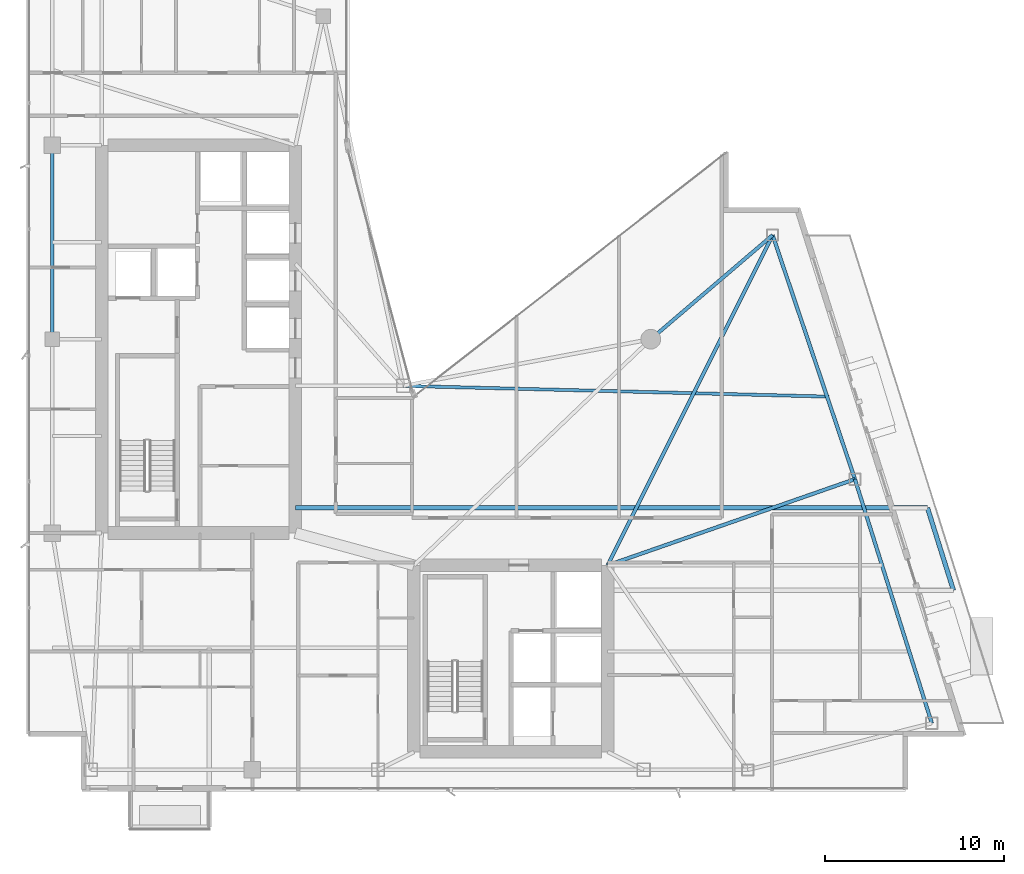
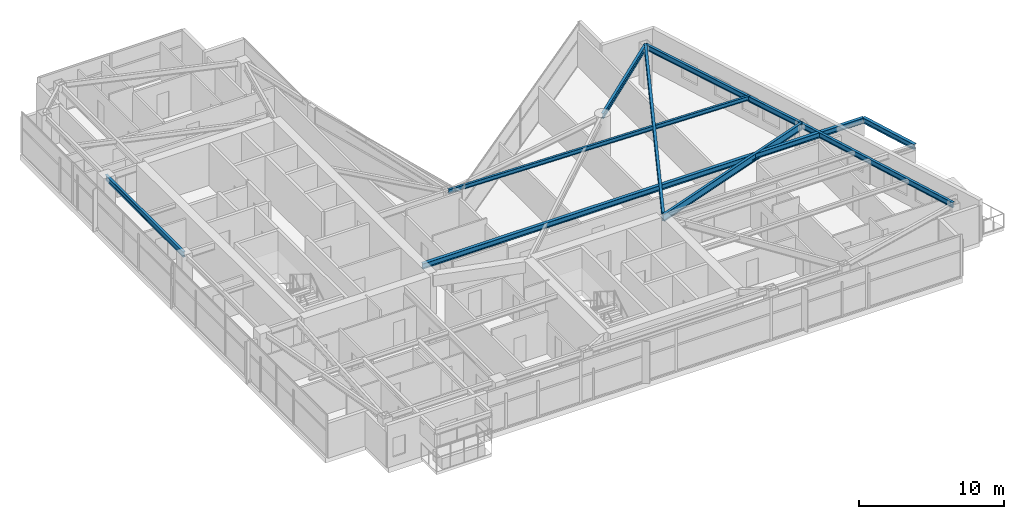
# One storey, part 15 of 29: 9 beams.
"""IFC4 building model written with IfcOpenShell, lengths in metres."""

import ifcopenshell
import ifcopenshell.guid

model = None  # the IFC model being written
_history = None  # IfcOwnerHistory: only IFC2X3 demands one
_inside = {}  # id of a spatial element -> (the spatial element, [elements in it])
_under = {}  # id of a project, library or spatial element -> (it, [spatial elements below it])
_declared = {}  # id of a project -> (the project, [libraries it declares])
_typed = {}  # id of a type object -> (the type object, [elements of that type])
_made_of = {}  # id of a material, layer set ... -> (it, [elements and type objects made of it])


def new_model(schema):
    """Start an empty IFC model of exactly this schema.

    Asked for "IFC4X3", IfcOpenShell would pick the latest addendum, in which some entities
    have other attributes; the version numbers below select the first issue.
    IFC2X3 requires an IfcOwnerHistory on every rooted entity: one is made here for all.
    """
    global model, _history
    if schema == "IFC4X3":
        model = ifcopenshell.file(schema_version=(4, 3, 0, 0))
    else:
        model = ifcopenshell.file(schema=schema)
    _inside.clear()
    _under.clear()
    _declared.clear()
    _typed.clear()
    _made_of.clear()
    _history = None
    if model.schema == "IFC2X3":
        org = make("IfcOrganization", Name="unknown")
        user = make(
            "IfcPersonAndOrganization",
            ThePerson=make("IfcPerson", FamilyName="unknown"),
            TheOrganization=org,
        )
        app = make(
            "IfcApplication",
            ApplicationDeveloper=org,
            Version="unknown",
            ApplicationFullName="unknown",
            ApplicationIdentifier="unknown",
        )
        _history = make(
            "IfcOwnerHistory",
            OwningUser=user,
            OwningApplication=app,
            ChangeAction="ADDED",
            CreationDate=0,
        )
    return model


def make(cls, **values):
    """One entity of the class cls with the attributes given. An attribute that is None is left unset."""
    return model.create_entity(
        cls, **{name: value for name, value in values.items() if value is not None}
    )


def rooted(cls, **values):
    """An entity with a GlobalId (a new one), such as an element, a storey or a relation."""
    return make(cls, GlobalId=ifcopenshell.guid.new(), OwnerHistory=_history, **values)


def si_unit(unit_type, name, prefix=None):
    """IfcSIUnit, for example si_unit("LENGTHUNIT", "METRE", prefix="MILLI")."""
    return make("IfcSIUnit", UnitType=unit_type, Prefix=prefix, Name=name)


def assignment(units):
    """IfcUnitAssignment: the units of a project."""
    return None if units is None else make("IfcUnitAssignment", Units=units)


def point(xyz):
    """IfcCartesianPoint."""
    return None if xyz is None else make("IfcCartesianPoint", Coordinates=xyz)


def direction(xyz):
    """IfcDirection."""
    return None if xyz is None else make("IfcDirection", DirectionRatios=xyz)


def frame(location, z_axis=None, x_axis=None):
    """IfcAxis2Placement3D, a coordinate frame: its origin and axes. An axis left out is left unset."""
    return make(
        "IfcAxis2Placement3D",
        Location=point(location),
        Axis=direction(z_axis),
        RefDirection=direction(x_axis),
    )


def frame_2d(location, x_axis=None):
    """IfcAxis2Placement2D, a coordinate frame in the plane: its origin and x axis."""
    return make(
        "IfcAxis2Placement2D", Location=point(location), RefDirection=direction(x_axis)
    )


def origin():
    """The frame at (0, 0, 0) with its axes left unset."""
    return frame((0.0, 0.0, 0.0))


def origin_2d():
    """The frame at (0, 0) in the plane with its x axis left unset."""
    return frame_2d((0.0, 0.0))


def place(relative_to, where):
    """IfcLocalPlacement: puts the frame where relative to a parent placement (None: the world)."""
    return make(
        "IfcLocalPlacement", PlacementRelTo=relative_to, RelativePlacement=where
    )


def context(
    kind, dimensions, precision=None, world=None, true_north=None, identifier=None
):
    """IfcGeometricRepresentationContext, for example the 3D "Model" context."""
    return make(
        "IfcGeometricRepresentationContext",
        ContextIdentifier=identifier,
        ContextType=kind,
        CoordinateSpaceDimension=dimensions,
        Precision=precision,
        WorldCoordinateSystem=world,
        TrueNorth=true_north,
    )


def subcontext(parent, identifier, kind, view, scale=None):
    """IfcGeometricRepresentationSubContext, for example "Body" below "Model"."""
    return make(
        "IfcGeometricRepresentationSubContext",
        ContextIdentifier=identifier,
        ContextType=kind,
        ParentContext=parent,
        TargetScale=scale,
        TargetView=view,
    )


def project(units=None, contexts=None):
    """IfcProject with its units and contexts."""
    return rooted(
        "IfcProject",
        Name="project",
        RepresentationContexts=contexts,
        UnitsInContext=assignment(units),
    )


def spatial(cls, under=None, at=None, **own):
    """A site, building, storey or space (cls), placed at a placement, below another one or the project."""
    s = rooted(cls, ObjectPlacement=at, **own)
    if under is not None:
        _under.setdefault(under.id(), (under, []))[1].append(s)
    return s


def profile(cls, at=None, kind="AREA", **sizes):
    """A parametric profile (cls). Its sizes go by their IFC names, for example OverallWidth=200.0."""
    return make(cls, ProfileType=kind, Position=at, **sizes)


def i_section(**sizes):
    """IfcIShapeProfileDef."""
    return profile("IfcIShapeProfileDef", **sizes)


def extrude(swept, where, along, depth):
    """IfcExtrudedAreaSolid: the profile swept, set in the frame where, extruded along a direction by depth."""
    return make(
        "IfcExtrudedAreaSolid",
        SweptArea=swept,
        Position=where,
        ExtrudedDirection=direction(along),
        Depth=depth,
    )


def shape(context_of_items, identifier, shape_type, items):
    """IfcShapeRepresentation: the items that make up one representation, for example the "Body"."""
    return make(
        "IfcShapeRepresentation",
        ContextOfItems=context_of_items,
        RepresentationIdentifier=identifier,
        RepresentationType=shape_type,
        Items=items,
    )


def material(Name=None, Category=None):
    """IfcMaterial."""
    return make("IfcMaterial", Name=Name, Category=Category)


def material_profile(
    of_material, cross_section, Name=None, Category=None, Priority=None
):
    """IfcMaterialProfile: a cross section and its material."""
    return make(
        "IfcMaterialProfile",
        Name=Name,
        Material=of_material,
        Profile=cross_section,
        Priority=Priority,
        Category=Category,
    )


def profile_set(profiles, Name=None, composite=None):
    """IfcMaterialProfileSet."""
    return make(
        "IfcMaterialProfileSet",
        Name=Name,
        MaterialProfiles=profiles,
        CompositeProfile=composite,
    )


def made_of(thing, what):
    """Note that an element or type object is made of a material, layer set ...; save() writes the relation."""
    if what is not None:
        _made_of.setdefault(what.id(), (what, []))[1].append(thing)
    return thing


def type_object(cls, material=None, **own):
    """A type object (cls), such as IfcWallType, which elements share."""
    return made_of(rooted(cls, **own), material)


def element(
    cls,
    number,
    at=None,
    inside=None,
    cuts=None,
    type_object=None,
    material=None,
    context=None,
    identifier="Body",
    shape_type=None,
    held_by="IfcProductDefinitionShape",
    body=None,
    shapes=None,
    **own,
):
    """One element of the class cls, such as IfcWall. Its Tag is "e" and its number.

    at: its placement. inside: the storey or other place that contains it. cuts: it is an
    opening in that element (IfcRelVoidsElement). A single representation is given by context,
    identifier, shape_type and body (its items); several are given by shapes. held_by: the class
    of the entity that holds the representations. save() writes the other relations.
    """
    e = rooted(cls, Tag="e%d" % number, ObjectPlacement=at, **own)
    if body is not None:
        shapes = [shape(context, identifier, shape_type, body)]
    if shapes is not None:
        e.Representation = make(held_by, Representations=shapes)
    if inside is not None:
        _inside.setdefault(inside.id(), (inside, []))[1].append(e)
    if cuts is not None:
        rooted(
            "IfcRelVoidsElement", RelatingBuildingElement=cuts, RelatedOpeningElement=e
        )
    if type_object is not None:
        _typed.setdefault(type_object.id(), (type_object, []))[1].append(e)
    return made_of(e, material)


def aggregate(whole, parts):
    """IfcRelAggregates: a whole, such as a stair, and the parts it consists of."""
    return rooted("IfcRelAggregates", RelatingObject=whole, RelatedObjects=parts)


def save(model, path):
    """Write the relations noted so far, then the file.

    IfcRelAggregates (storeys below a building ...), IfcRelContainedInSpatialStructure (elements
    in a storey), IfcRelDefinesByType, IfcRelAssociatesMaterial and IfcRelDeclares: one each for
    every whole, place, type object, material and project.
    """
    for whole, parts in _under.values():
        aggregate(whole, parts)
    for where, things in _inside.values():
        rooted(
            "IfcRelContainedInSpatialStructure",
            RelatedElements=things,
            RelatingStructure=where,
        )
    for kind, things in _typed.values():
        rooted("IfcRelDefinesByType", RelatedObjects=things, RelatingType=kind)
    for what, things in _made_of.values():
        rooted("IfcRelAssociatesMaterial", RelatedObjects=things, RelatingMaterial=what)
    for by, libraries in _declared.values():
        rooted("IfcRelDeclares", RelatingContext=by, RelatedDefinitions=libraries)
    model.write(path)


model = new_model("IFC4")

# Units and contexts
model_context = context("Model", 3, precision=1e-05, world=origin(), true_north=direction((0.0, 1.0)))
body_context = subcontext(model_context, "Body", "Model", "MODEL_VIEW")
ifc_project = project(units=[si_unit("LENGTHUNIT", "METRE"), si_unit("AREAUNIT", "SQUARE_METRE"), si_unit("VOLUMEUNIT", "CUBIC_METRE"), si_unit("PLANEANGLEUNIT", "RADIAN"), si_unit("MASSUNIT", "GRAM", prefix="KILO")], contexts=[model_context])

# Site, building, storey
site_placement = place(None, origin())
site = spatial("IfcSite", under=ifc_project, at=site_placement, CompositionType="ELEMENT")
building_placement = place(site_placement, origin())
building = spatial("IfcBuilding", under=site, at=building_placement, Name="Calvorn Quay Hotel", CompositionType="ELEMENT")
storey_placement = place(building_placement, frame((0.0, 0.0, 199.60009765625)))
storey = spatial("IfcBuildingStorey", under=building, at=storey_placement, Name="L49", CompositionType="ELEMENT", Elevation=199.60009765625)

# Beams
ifc_material_1 = material(Name="Steel Q355B", Category="steel")
ifc_material_profile_1 = material_profile(ifc_material_1, i_section(OverallWidth=0.25, OverallDepth=0.449951171875, WebThickness=0.011962890625, FlangeThickness=0.01611328125, FilletRadius=0.01611328125, at=origin_2d()), Name="HN450x250x12x16")
ifc_profile_set_1 = profile_set([ifc_material_profile_1], Name="Steel Q355B")
beam_type_1 = type_object("IfcBeamType", Name="BM-CANT-BALC", PredefinedType="BEAM", material=ifc_profile_set_1)
beam_1_placement = place(storey_placement, frame((15.0, 18.199951171875, 3.31494140625), z_axis=(1.0, 0.0, 0.0), x_axis=(0.0, 1.0, 0.0)))
element("IfcBeam", 1, at=beam_1_placement, inside=storey, type_object=beam_type_1, Name="Cantilever Balcony Beam BCB-L50-1B", PredefinedType="BEAM", context=body_context, shape_type="SweptSolid", body=[
    extrude(i_section(OverallWidth=0.25, OverallDepth=0.449951171875, WebThickness=0.011962890625, FlangeThickness=0.01611328125, FilletRadius=0.01611328125, at=origin_2d()), origin(), (0.0, 0.0, 1.0), 35.219970703125),
])
beam_2_placement = place(storey_placement, frame((51.6689453125, 13.60009765625, 3.31494140625), z_axis=(-0.300450487966, 0.953797412599, 0.0), x_axis=(-0.953797412599, -0.300450487966, 0.0)))
element("IfcBeam", 2, at=beam_2_placement, inside=storey, type_object=beam_type_1, Name="Beam BCBO-L50-1", PredefinedType="BEAM", context=body_context, shape_type="SweptSolid", body=[
    extrude(i_section(OverallWidth=0.25, OverallDepth=0.449951171875, WebThickness=0.011962890625, FlangeThickness=0.01611328125, FilletRadius=0.01611328125, at=origin_2d()), origin(), (0.0, 0.0, 1.0), 4.82275390625),
])
ifc_material_2 = material(Name="Steel Q355B", Category="steel")
ifc_material_profile_2 = material_profile(ifc_material_2, i_section(OverallWidth=0.199951171875, OverallDepth=0.60009765625, WebThickness=0.010986328125, FlangeThickness=0.01708984375, FilletRadius=0.01806640625, at=origin_2d()), Name="HN600x200x11x17")
ifc_profile_set_2 = profile_set([ifc_material_profile_2], Name="Steel Q355B")
beam_type_2 = type_object("IfcBeamType", Name="BM-GIRD-TYP", PredefinedType="BEAM", material=ifc_profile_set_2)
beam_3_placement = place(storey_placement, frame((32.39990234375, 15.0, 3.239990234375), z_axis=(0.944318977239, 0.329031410699, 0.0), x_axis=(-0.329031410699, 0.944318977239, 0.0)))
element("IfcBeam", 3, at=beam_3_placement, inside=storey, type_object=beam_type_2, Name="Beam BG-L49-E2", PredefinedType="BEAM", context=body_context, shape_type="SweptSolid", body=[
    extrude(i_section(OverallWidth=0.199951171875, OverallDepth=0.60009765625, WebThickness=0.010986328125, FlangeThickness=0.01708984375, FilletRadius=0.01806640625, at=origin_2d()), origin(), (0.0, 0.0, 1.0), 14.58837890625),
])
beam_4_placement = place(storey_placement, frame((32.39990234375, 15.0, 3.239990234375), z_axis=(0.446871705446, 0.894598054364, 0.0), x_axis=(-0.894598054364, 0.446871705446, 0.0)))
element("IfcBeam", 4, at=beam_4_placement, inside=storey, type_object=beam_type_2, Name="Beam BG-L49-E3", PredefinedType="BEAM", context=body_context, shape_type="SweptSolid", body=[
    extrude(i_section(OverallWidth=0.199951171875, OverallDepth=0.60009765625, WebThickness=0.010986328125, FlangeThickness=0.01708984375, FilletRadius=0.01806640625, at=origin_2d()), origin(), (0.0, 0.0, 1.0), 20.56787109375),
])
ifc_material_3 = material(Name="Steel Q355B", Category="steel")
ifc_material_profile_3 = material_profile(ifc_material_3, i_section(OverallWidth=0.175048828125, OverallDepth=0.35009765625, WebThickness=0.007080078125, FlangeThickness=0.010986328125, FilletRadius=0.013916015625, at=origin_2d()), Name="HN350x175x7x11")
ifc_profile_set_3 = profile_set([ifc_material_profile_3], Name="Steel Q355B")
beam_type_3 = type_object("IfcBeamType", Name="BM-JOIST-SEC", PredefinedType="JOIST", material=ifc_profile_set_3)
beam_5_placement = place(storey_placement, frame((21.0, 25.0, 3.364990234375), z_axis=(0.999680318096, -0.025283623381, 0.0), x_axis=(0.025283623381, 0.999680318096, 0.0)))
element("IfcBeam", 5, at=beam_5_placement, inside=storey, type_object=beam_type_3, Name="Beam BJ-L49-E3", PredefinedType="JOIST", context=body_context, shape_type="SweptSolid", body=[
    extrude(i_section(OverallWidth=0.175048828125, OverallDepth=0.35009765625, WebThickness=0.007080078125, FlangeThickness=0.010986328125, FilletRadius=0.013916015625, at=origin_2d()), origin(), (0.0, 0.0, 1.0), 23.734619140625),
])
ifc_material_4 = material(Name="Steel Q355B", Category="steel")
ifc_material_profile_4 = material_profile(ifc_material_4, i_section(OverallWidth=0.199951171875, OverallDepth=0.449951171875, WebThickness=0.009033203125, FlangeThickness=0.013916015625, FilletRadius=0.01611328125, at=origin_2d()), Name="HN450x200x9x14")
ifc_profile_set_4 = profile_set([ifc_material_profile_4], Name="Steel Q355B")
beam_type_4 = type_object("IfcBeamType", Name="BM-SPANDREL-Z3", PredefinedType="SPANDREL", material=ifc_profile_set_4)
beam_6_placement = place(storey_placement, frame((1.449951171875, 27.60009765625, 3.31494140625), z_axis=(0.0, 1.0, 0.0), x_axis=(-1.0, 0.0, 0.0)))
element("IfcBeam", 6, at=beam_6_placement, inside=storey, type_object=beam_type_4, Name="Beam BSP-L49-W3", PredefinedType="SPANDREL", context=body_context, shape_type="SweptSolid", body=[
    extrude(i_section(OverallWidth=0.199951171875, OverallDepth=0.449951171875, WebThickness=0.009033203125, FlangeThickness=0.013916015625, FilletRadius=0.01611328125, at=origin_2d()), origin(), (0.0, 0.0, 1.0), 10.7998046875),
])
beam_7_placement = place(storey_placement, frame((50.4609375, 6.199951171875, 3.31494140625), z_axis=(-0.300502802767, 0.953780931624, 0.0), x_axis=(-0.953780931624, -0.300502802767, 0.0)))
element("IfcBeam", 7, at=beam_7_placement, inside=storey, type_object=beam_type_4, Name="Beam BSP-L49-E1", PredefinedType="SPANDREL", context=body_context, shape_type="SweptSolid", body=[
    extrude(i_section(OverallWidth=0.199951171875, OverallDepth=0.449951171875, WebThickness=0.009033203125, FlangeThickness=0.013916015625, FilletRadius=0.01611328125, at=origin_2d()), origin(), (0.0, 0.0, 1.0), 14.259033203125),
])
beam_8_placement = place(storey_placement, frame((46.176025390625, 19.800048828125, 3.31494140625), z_axis=(-0.319466515944, 0.947597564998, 0.0), x_axis=(-0.947597564998, -0.319466515944, 0.0)))
element("IfcBeam", 8, at=beam_8_placement, inside=storey, type_object=beam_type_4, Name="Beam BSP-L49-E2", PredefinedType="SPANDREL", context=body_context, shape_type="SweptSolid", body=[
    extrude(i_section(OverallWidth=0.199951171875, OverallDepth=0.449951171875, WebThickness=0.009033203125, FlangeThickness=0.013916015625, FilletRadius=0.01611328125, at=origin_2d()), origin(), (0.0, 0.0, 1.0), 14.35205078125),
])
beam_9_placement = place(storey_placement, frame((41.591064453125, 33.39990234375, 3.31494140625), z_axis=(-0.760420928616, -0.64943052848, 0.0), x_axis=(0.64943052848, -0.760420928616, 0.0)))
element("IfcBeam", 9, at=beam_9_placement, inside=storey, type_object=beam_type_4, Name="Beam BSP-L49-E3", PredefinedType="SPANDREL", context=body_context, shape_type="SweptSolid", body=[
    extrude(i_section(OverallWidth=0.199951171875, OverallDepth=0.449951171875, WebThickness=0.009033203125, FlangeThickness=0.013916015625, FilletRadius=0.01611328125, at=origin_2d()), origin(), (0.0, 0.0, 1.0), 8.9306640625),
])

save(model, "model.ifc")
